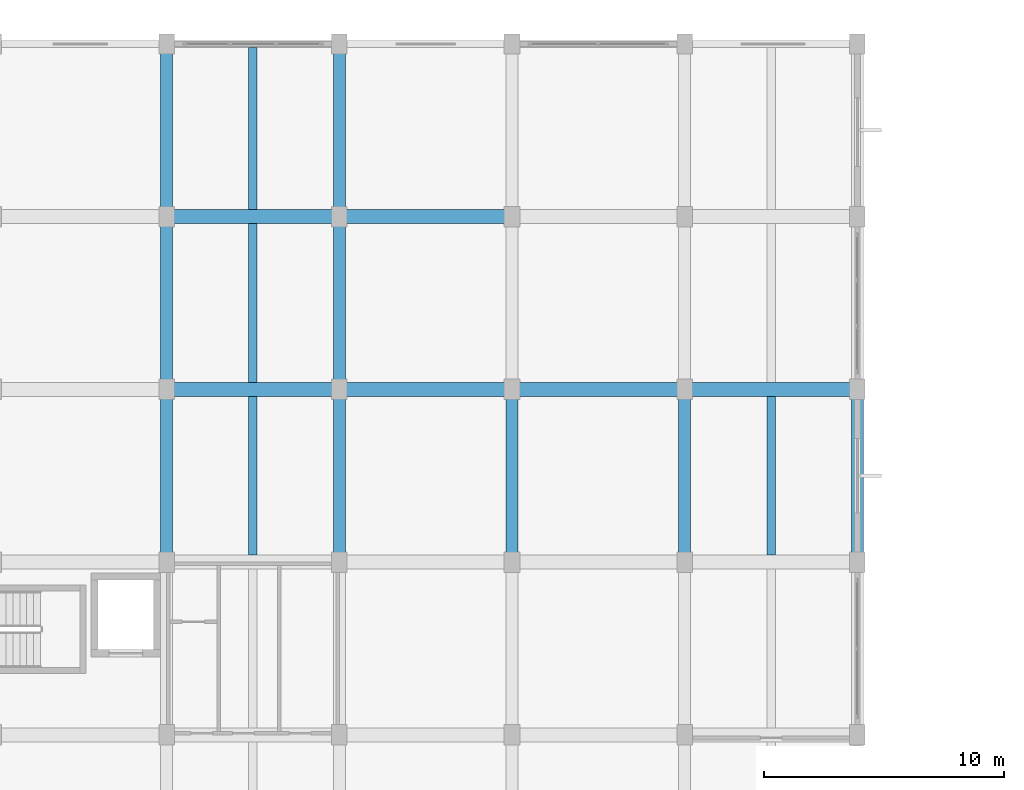
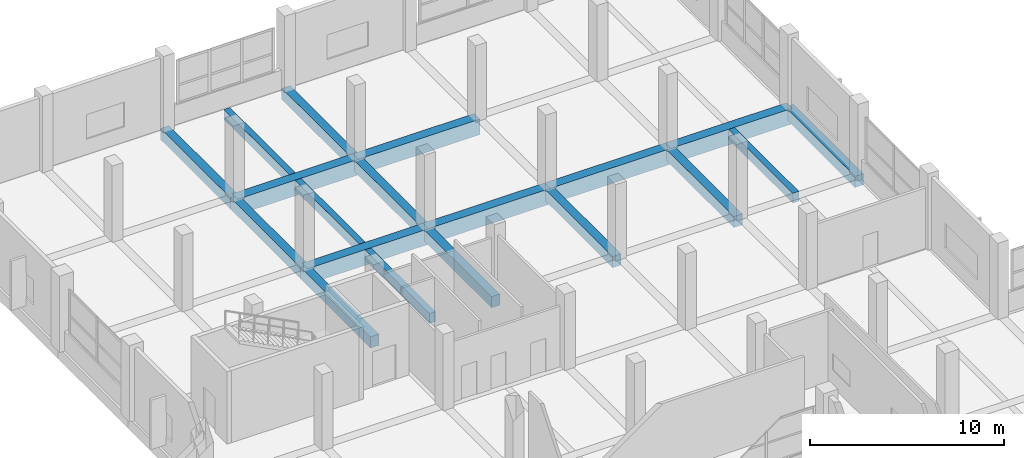
# One storey, part 138 of 181: 19 beams.
"""IFC4 building model written with IfcOpenShell, lengths in metres."""

from ifc_helpers import new_model, si_unit, direction, frame, origin, origin_2d, place, context, subcontext, project, spatial, rectangle, extrude, material, material_profile, profile_set, type_object, element, save


model = new_model("IFC4")

# Units and contexts
model_context = context("Model", 3, precision=1e-05, world=origin(), true_north=direction((0.0, 1.0)))
body_context = subcontext(model_context, "Body", "Model", "MODEL_VIEW")
ifc_project = project(units=[si_unit("LENGTHUNIT", "METRE"), si_unit("AREAUNIT", "SQUARE_METRE"), si_unit("VOLUMEUNIT", "CUBIC_METRE"), si_unit("PLANEANGLEUNIT", "RADIAN"), si_unit("MASSUNIT", "GRAM", prefix="KILO")], contexts=[model_context])

# Site, building, storey
site_placement = place(None, origin())
site = spatial("IfcSite", under=ifc_project, at=site_placement, CompositionType="ELEMENT")
building_placement = place(site_placement, origin())
building = spatial("IfcBuilding", under=site, at=building_placement, Name="Seraya Terrace Polytechnic", CompositionType="ELEMENT")
storey_placement = place(building_placement, frame((0.0, 0.0, 4.800048828125)))
storey = spatial("IfcBuildingStorey", under=building, at=storey_placement, Name="L01", CompositionType="ELEMENT", Elevation=4.800048828125)

# Beams
ifc_material = material(Name="Concrete C40/50", Category="concrete")
ifc_material_profile_1 = material_profile(ifc_material, rectangle(XDim=0.580078125, YDim=0.97998046875, at=origin_2d()), Name="RC 580x980")
ifc_profile_set_1 = profile_set([ifc_material_profile_1], Name="Concrete C40/50")
beam_type_1 = type_object("IfcBeamType", Name="BM-02", PredefinedType="BEAM", material=ifc_profile_set_1)
for number, where, z_axis, x_axis, name in (
    (1, (129.60009765625, 100.800048828125, -0.489990234375), (1.0, 0.0, 0.0), (0.0, 1.0, 0.0), "Beam BM-02 L01 X (129.6..136.8, 100.8)"),
    (2, (136.800048828125, 100.800048828125, -0.489990234375), (1.0, 0.0, 0.0), (0.0, 1.0, 0.0), "Beam BM-02 L01 X (136.8..144.0, 100.8)"),
    (3, (144.0, 100.800048828125, -0.489990234375), (1.0, 0.0, 0.0), (0.0, 1.0, 0.0), "Beam BM-02 L01 X (144.0..151.2, 100.8)"),
    (4, (151.199951171875, 100.800048828125, -0.489990234375), (1.0, 0.0, 0.0), (0.0, 1.0, 0.0), "Beam BM-02 L01 X (151.2..158.4, 100.8)"),
    (5, (129.60009765625, 108.0, -0.489990234375), (1.0, 0.0, 0.0), (0.0, 1.0, 0.0), "Beam BM-02 L01 X (129.6..136.8, 108.0)"),
    (6, (136.800048828125, 108.0, -0.489990234375), (1.0, 0.0, 0.0), (0.0, 1.0, 0.0), "Beam BM-02 L01 X (136.8..144.0, 108.0)"),
):
    element("IfcBeam", number, at=place(storey_placement, frame(where, z_axis=z_axis, x_axis=x_axis)), inside=storey, type_object=beam_type_1, Name=name, PredefinedType="BEAM", context=body_context, shape_type="SweptSolid", body=[
        extrude(rectangle(XDim=0.580078125, YDim=0.97998046875, at=origin_2d()), origin(), (0.0, 0.0, 1.0), 7.199951171875),
    ])
ifc_material_profile_2 = material_profile(ifc_material, rectangle(XDim=0.5, YDim=0.699951171875, at=origin_2d()), Name="RC 500x700")
ifc_profile_set_2 = profile_set([ifc_material_profile_2], Name="Concrete C40/50")
beam_type_2 = type_object("IfcBeamType", Name="BM-07", PredefinedType="BEAM", material=ifc_profile_set_2)
for number, where, z_axis, x_axis, name in (
    (7, (129.60009765625, 93.60009765625, -0.35009765625), (0.0, 1.0, 0.0), (-1.0, 0.0, 0.0), "Beam BM-07 L01 Y (129.6, 93.6..100.8)"),
    (8, (129.60009765625, 100.800048828125, -0.35009765625), (0.0, 1.0, 0.0), (-1.0, 0.0, 0.0), "Beam BM-07 L01 Y (129.6, 100.8..108.0)"),
    (9, (129.60009765625, 108.0, -0.35009765625), (0.0, 1.0, 0.0), (-1.0, 0.0, 0.0), "Beam BM-07 L01 Y (129.6, 108.0..115.2)"),
    (10, (136.800048828125, 93.60009765625, -0.35009765625), (0.0, 1.0, 0.0), (-1.0, 0.0, 0.0), "Beam BM-07 L01 Y (136.8, 93.6..100.8)"),
    (11, (136.800048828125, 100.800048828125, -0.35009765625), (0.0, 1.0, 0.0), (-1.0, 0.0, 0.0), "Beam BM-07 L01 Y (136.8, 100.8..108.0)"),
    (12, (136.800048828125, 108.0, -0.35009765625), (0.0, 1.0, 0.0), (-1.0, 0.0, 0.0), "Beam BM-07 L01 Y (136.8, 108.0..115.2)"),
    (13, (144.0, 93.60009765625, -0.35009765625), (0.0, 1.0, 0.0), (-1.0, 0.0, 0.0), "Beam BM-07 L01 Y (144.0, 93.6..100.8)"),
    (14, (151.199951171875, 93.60009765625, -0.35009765625), (0.0, 1.0, 0.0), (-1.0, 0.0, 0.0), "Beam BM-07 L01 Y (151.2, 93.6..100.8)"),
    (15, (158.39990234375, 93.60009765625, -0.35009765625), (0.0, 1.0, 0.0), (-1.0, 0.0, 0.0), "Beam BM-07 L01 Y (158.4, 93.6..100.8)"),
):
    element("IfcBeam", number, at=place(storey_placement, frame(where, z_axis=z_axis, x_axis=x_axis)), inside=storey, type_object=beam_type_2, Name=name, PredefinedType="BEAM", context=body_context, shape_type="SweptSolid", body=[
        extrude(rectangle(XDim=0.5, YDim=0.699951171875, at=origin_2d()), origin(), (0.0, 0.0, 1.0), 7.199951171875),
    ])
ifc_material_profile_3 = material_profile(ifc_material, rectangle(XDim=0.360107421875, YDim=0.6201171875, at=origin_2d()), Name="RC 360x620")
ifc_profile_set_3 = profile_set([ifc_material_profile_3], Name="Concrete C40/50")
beam_type_3 = type_object("IfcBeamType", Name="JS-01", PredefinedType="JOIST", material=ifc_profile_set_3)
beam_1_placement = place(storey_placement, frame((133.199951171875, 93.889892578125, -0.31005859375), z_axis=(0.0, 1.0, 0.0), x_axis=(-1.0, 0.0, 0.0)))
element("IfcBeam", 16, at=beam_1_placement, inside=storey, type_object=beam_type_3, Name="Secondary joist JS-01 L01", PredefinedType="JOIST", context=body_context, shape_type="SweptSolid", body=[
    extrude(rectangle(XDim=0.360107421875, YDim=0.6201171875, at=origin_2d()), origin(), (0.0, 0.0, 1.0), 6.6201171875),
])
beam_2_placement = place(storey_placement, frame((133.199951171875, 101.090087890625, -0.31005859375), z_axis=(0.0, 1.0, 0.0), x_axis=(-1.0, 0.0, 0.0)))
element("IfcBeam", 17, at=beam_2_placement, inside=storey, type_object=beam_type_3, Name="Secondary joist JS-01 L01", PredefinedType="JOIST", context=body_context, shape_type="SweptSolid", body=[
    extrude(rectangle(XDim=0.360107421875, YDim=0.6201171875, at=origin_2d()), origin(), (0.0, 0.0, 1.0), 6.619873046875),
])
beam_3_placement = place(storey_placement, frame((133.199951171875, 108.2900390625, -0.31005859375), z_axis=(0.0, 1.0, 0.0), x_axis=(-1.0, 0.0, 0.0)))
element("IfcBeam", 18, at=beam_3_placement, inside=storey, type_object=beam_type_3, Name="Secondary joist JS-01 L01", PredefinedType="JOIST", context=body_context, shape_type="SweptSolid", body=[
    extrude(rectangle(XDim=0.360107421875, YDim=0.6201171875, at=origin_2d()), origin(), (0.0, 0.0, 1.0), 6.760009765625),
])
beam_4_placement = place(storey_placement, frame((154.800048828125, 93.889892578125, -0.31005859375), z_axis=(0.0, 1.0, 0.0), x_axis=(-1.0, 0.0, 0.0)))
element("IfcBeam", 19, at=beam_4_placement, inside=storey, type_object=beam_type_3, Name="Secondary joist JS-01 L01", PredefinedType="JOIST", context=body_context, shape_type="SweptSolid", body=[
    extrude(rectangle(XDim=0.360107421875, YDim=0.6201171875, at=origin_2d()), origin(), (0.0, 0.0, 1.0), 6.6201171875),
])

save(model, "model.ifc")
